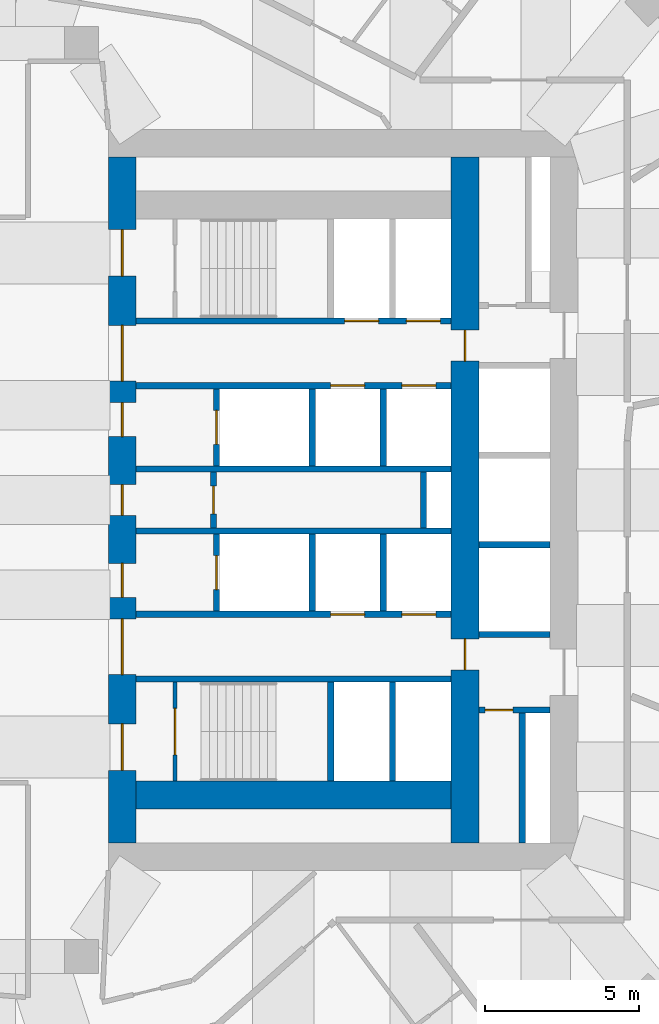
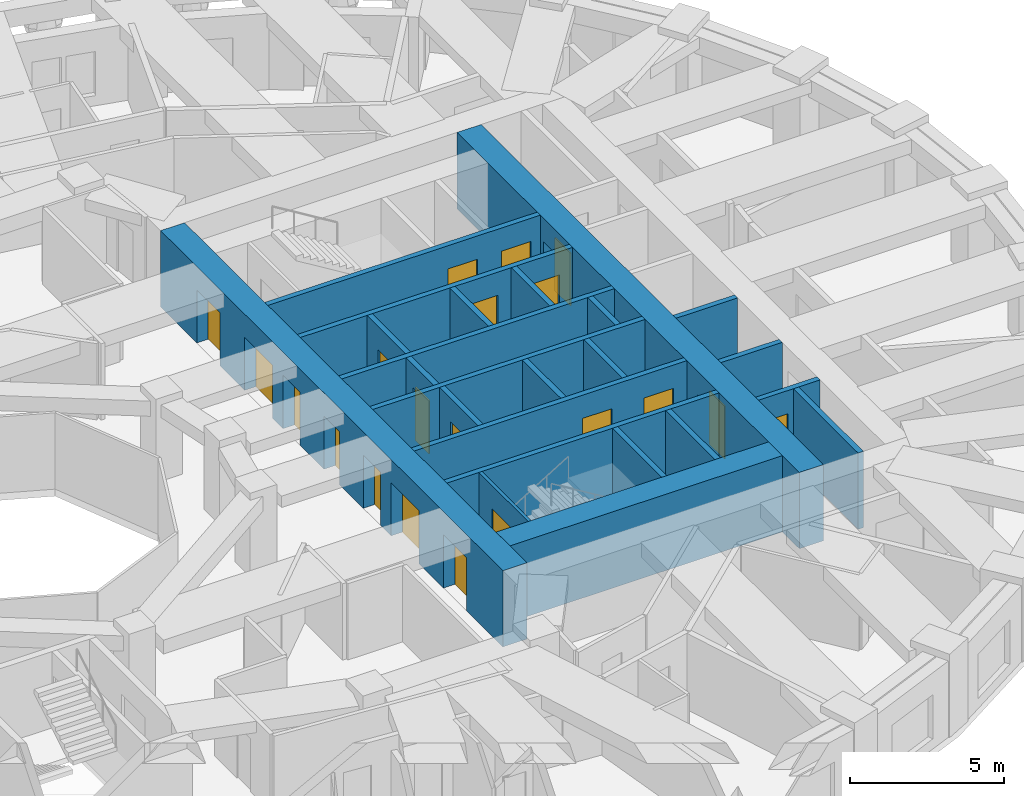
# One storey, part 6 of 13: 24 walls, 20 doors, 20 openings.
"""IFC4 building model written with IfcOpenShell, lengths in metres."""

from ifc_helpers import new_model, si_unit, direction, frame, frame_2d, origin, place, context, subcontext, project, spatial, rectangle, extrude, material, layer, layer_set, type_object, element, fill, save


model = new_model("IFC4")

# Units and contexts
model_context = context("Model", 3, precision=1e-05, world=origin(), true_north=direction((0.0, 1.0)))
body_context = subcontext(model_context, "Body", "Model", "MODEL_VIEW")
ifc_project = project(units=[si_unit("LENGTHUNIT", "METRE"), si_unit("AREAUNIT", "SQUARE_METRE"), si_unit("VOLUMEUNIT", "CUBIC_METRE"), si_unit("PLANEANGLEUNIT", "RADIAN"), si_unit("MASSUNIT", "GRAM", prefix="KILO")], contexts=[model_context])

# Site, building, storey
site_placement = place(None, origin())
site = spatial("IfcSite", under=ifc_project, at=site_placement, CompositionType="ELEMENT")
building_placement = place(site_placement, origin())
building = spatial("IfcBuilding", under=site, at=building_placement, Name="Taillehof Tower", CompositionType="ELEMENT")
storey_placement = place(building_placement, frame((0.0, 0.0, 67.89990234375)))
storey = spatial("IfcBuildingStorey", under=building, at=storey_placement, Name="L18", CompositionType="ELEMENT", Elevation=67.89990234375)

# Wall, opening, door
ifc_material_1 = material(Name="Calcium silicate masonry", Category="masonry")
ifc_layer_1 = layer(ifc_material_1, 0.199951171875)
ifc_layer_set_1 = layer_set([ifc_layer_1], Name="Compartment wall calcium silicate 200")
wall_type_1 = type_object("IfcWallType", Name="Compartment wall calcium silicate 200", PredefinedType="PARTITIONING", material=ifc_layer_set_1)
wall_1_placement = place(storey_placement, frame((7.39990234375, -0.89990234375, 0.0), z_axis=(0.0, 0.0, 1.0), x_axis=(0.0, 1.0, 0.0)))
wall_1 = element("IfcWall", 1, at=wall_1_placement, inside=storey, type_object=wall_type_1, Name="Compartment wall FW", PredefinedType="PARTITIONING", context=body_context, shape_type="SweptSolid", body=[
    extrude(rectangle(XDim=1.7998046875, YDim=0.199951171875, at=frame_2d((0.89990234375, 0.0))), origin(), (0.0, 0.0, 1.0), 3.02001953125),
])
opening_1_placement = place(wall_1_placement, frame((0.449951171875, 0.0, 0.0)))
opening_1 = element("IfcOpeningElement", 2, at=opening_1_placement, cuts=wall_1, Name="Opening D1814", PredefinedType="OPENING", context=body_context, shape_type="SweptSolid", body=[
    extrude(rectangle(XDim=0.89990234375, YDim=2.10009765625, at=frame_2d((0.449951171875, 1.050048828125))), frame((0.0, 0.10986328125, 0.0), z_axis=(0.0, -1.0, 0.0), x_axis=(1.0, 0.0, 0.0)), (0.0, 0.0, 1.0), 0.219970703125),
])
ifc_material_2 = material(Name="Steel-faced fire door", Category="steel")
door_type_1 = type_object("IfcDoorType", Name="Riser and service room door 900x2100", OperationType="SINGLE_SWING_LEFT", PredefinedType="DOOR", material=ifc_material_2)
door_1_placement = place(opening_1_placement, origin())
door_1 = element("IfcDoor", 3, at=door_1_placement, inside=storey, type_object=door_type_1, Name="Door Beverage Store", OperationType="SINGLE_SWING_RIGHT", OverallHeight=2.10009765625, OverallWidth=0.89990234375, PredefinedType="DOOR", context=body_context, shape_type="SweptSolid", body=[
    extrude(rectangle(XDim=0.89990234375, YDim=2.10009765625, at=frame_2d((0.449951171875, 1.050048828125))), frame((0.0, 0.02490234375, 0.0), z_axis=(0.0, -1.0, 0.0), x_axis=(1.0, 0.0, 0.0)), (0.0, 0.0, 1.0), 0.050048828125),
])
fill(opening_1, door_1)

# Wall
wall_2_placement = place(storey_placement, frame((14.199951171875, -0.89990234375, 0.0), z_axis=(0.0, 0.0, 1.0), x_axis=(0.0, 1.0, 0.0)))
element("IfcWall", 4, at=wall_2_placement, inside=storey, type_object=wall_type_1, Name="Compartment wall FW", PredefinedType="PARTITIONING", context=body_context, shape_type="SweptSolid", body=[
    extrude(rectangle(XDim=1.7998046875, YDim=0.199951171875, at=frame_2d((0.89990234375, 0.0))), origin(), (0.0, 0.0, 1.0), 3.02001953125),
])

# Wall, opening, door
wall_3_placement = place(storey_placement, frame((16.0, -6.800048828125, 0.0), z_axis=(0.0, 0.0, 1.0), x_axis=(1.0, 0.0, 0.0)))
wall_3 = element("IfcWall", 5, at=wall_3_placement, inside=storey, type_object=wall_type_1, Name="Compartment wall FW", PredefinedType="PARTITIONING", context=body_context, shape_type="SweptSolid", body=[
    extrude(rectangle(XDim=2.300048828125, YDim=0.199951171875, at=frame_2d((1.14990234375, 0.0))), origin(), (0.0, 0.0, 1.0), 3.02001953125),
])
opening_2_placement = place(wall_3_placement, frame((0.199951171875, 0.0, 0.0)))
opening_2 = element("IfcOpeningElement", 6, at=opening_2_placement, cuts=wall_3, Name="Opening D1818", PredefinedType="OPENING", context=body_context, shape_type="SweptSolid", body=[
    extrude(rectangle(XDim=0.89990234375, YDim=2.10009765625, at=frame_2d((0.449951171875, 1.050048828125))), frame((0.0, 0.10986328125, 0.0), z_axis=(0.0, -1.0, 0.0), x_axis=(1.0, 0.0, 0.0)), (0.0, 0.0, 1.0), 0.219970703125),
])
door_2_placement = place(opening_2_placement, origin())
door_2 = element("IfcDoor", 7, at=door_2_placement, inside=storey, type_object=door_type_1, Name="Door Bms Room", OperationType="SINGLE_SWING_LEFT", OverallHeight=2.10009765625, OverallWidth=0.89990234375, PredefinedType="DOOR", context=body_context, shape_type="SweptSolid", body=[
    extrude(rectangle(XDim=0.89990234375, YDim=2.10009765625, at=frame_2d((0.449951171875, 1.050048828125))), frame((0.0, 0.02490234375, 0.0), z_axis=(0.0, -1.0, 0.0), x_axis=(1.0, 0.0, 0.0)), (0.0, 0.0, 1.0), 0.050048828125),
])
fill(opening_2, door_2)

# Wall
wall_4_placement = place(storey_placement, frame((17.39990234375, -11.10009765625, 0.0), z_axis=(0.0, 0.0, 1.0), x_axis=(0.0, 1.0, 0.0)))
element("IfcWall", 8, at=wall_4_placement, inside=storey, type_object=wall_type_1, Name="Compartment wall FW", PredefinedType="PARTITIONING", context=body_context, shape_type="SweptSolid", body=[
    extrude(rectangle(XDim=4.2001953125, YDim=0.199951171875, at=frame_2d((2.10009765625, 0.0))), origin(), (0.0, 0.0, 1.0), 3.02001953125),
])

# Wall, openings, doors
ifc_material_3 = material(Name="Concrete C80/95", Category="concrete")
ifc_layer_2 = layer(ifc_material_3, 0.89990234375)
ifc_layer_set_2 = layer_set([ifc_layer_2], Name="Core wall C80/95 900")
wall_type_2 = type_object("IfcWallType", Name="Core wall C80/95 900", PredefinedType="SHEAR", material=ifc_layer_set_2)
wall_5_placement = place(storey_placement, frame((4.449951171875, -11.10009765625, 0.0), z_axis=(0.0, 0.0, 1.0), x_axis=(0.0, 1.0, 0.0)))
wall_5 = element("IfcWall", 9, at=wall_5_placement, inside=storey, type_object=wall_type_2, Name="Core wall CW01", PredefinedType="SHEAR", context=body_context, shape_type="SweptSolid", body=[
    extrude(rectangle(XDim=22.2001953125, YDim=0.89990234375, at=frame_2d((11.10009765625, 0.0))), origin(), (0.0, 0.0, 1.0), 3.02001953125),
])
opening_3_placement = place(wall_5_placement, frame((2.35009765625, 0.0, 0.0)))
opening_3 = element("IfcOpeningElement", 10, at=opening_3_placement, cuts=wall_5, Name="Opening D1801", PredefinedType="OPENING", context=body_context, shape_type="SweptSolid", body=[
    extrude(rectangle(XDim=1.5, YDim=2.10009765625, at=frame_2d((0.75, 1.050048828125))), frame((0.0, 0.4599609375, 0.0), z_axis=(0.0, -1.0, 0.0), x_axis=(1.0, 0.0, 0.0)), (0.0, 0.0, 1.0), 0.919921875),
])
opening_4_placement = place(wall_5_placement, frame((5.449951171875, 0.0, 0.0)))
opening_4 = element("IfcOpeningElement", 11, at=opening_4_placement, cuts=wall_5, Name="Opening D1802", PredefinedType="OPENING", context=body_context, shape_type="SweptSolid", body=[
    extrude(rectangle(XDim=1.800048828125, YDim=2.10009765625, at=frame_2d((0.89990234375, 1.050048828125))), frame((0.0, 0.4599609375, 0.0), z_axis=(0.0, -1.0, 0.0), x_axis=(1.0, 0.0, 0.0)), (0.0, 0.0, 1.0), 0.919921875),
])
opening_5_placement = place(wall_5_placement, frame((7.949951171875, 0.0, 0.0)))
opening_5 = element("IfcOpeningElement", 12, at=opening_5_placement, cuts=wall_5, Name="Opening D1803", PredefinedType="OPENING", context=body_context, shape_type="SweptSolid", body=[
    extrude(rectangle(XDim=1.10009765625, YDim=2.10009765625, at=frame_2d((0.550048828125, 1.050048828125))), frame((0.0, 0.4599609375, 0.0), z_axis=(0.0, -1.0, 0.0), x_axis=(1.0, 0.0, 0.0)), (0.0, 0.0, 1.0), 0.919921875),
])
opening_6_placement = place(wall_5_placement, frame((10.60009765625, 0.0, 0.0)))
opening_6 = element("IfcOpeningElement", 13, at=opening_6_placement, cuts=wall_5, Name="Opening D1804", PredefinedType="OPENING", context=body_context, shape_type="SweptSolid", body=[
    extrude(rectangle(XDim=1.0, YDim=2.10009765625, at=frame_2d((0.5, 1.050048828125))), frame((0.0, 0.4599609375, 0.0), z_axis=(0.0, -1.0, 0.0), x_axis=(1.0, 0.0, 0.0)), (0.0, 0.0, 1.0), 0.919921875),
])
opening_7_placement = place(wall_5_placement, frame((13.14990234375, 0.0, 0.0)))
opening_7 = element("IfcOpeningElement", 14, at=opening_7_placement, cuts=wall_5, Name="Opening D1805", PredefinedType="OPENING", context=body_context, shape_type="SweptSolid", body=[
    extrude(rectangle(XDim=1.10009765625, YDim=2.10009765625, at=frame_2d((0.550048828125, 1.050048828125))), frame((0.0, 0.4599609375, 0.0), z_axis=(0.0, -1.0, 0.0), x_axis=(1.0, 0.0, 0.0)), (0.0, 0.0, 1.0), 0.919921875),
])
opening_8_placement = place(wall_5_placement, frame((14.949951171875, 0.0, 0.0)))
opening_8 = element("IfcOpeningElement", 15, at=opening_8_placement, cuts=wall_5, Name="Opening D1806", PredefinedType="OPENING", context=body_context, shape_type="SweptSolid", body=[
    extrude(rectangle(XDim=1.800048828125, YDim=2.10009765625, at=frame_2d((0.89990234375, 1.050048828125))), frame((0.0, 0.4599609375, 0.0), z_axis=(0.0, -1.0, 0.0), x_axis=(1.0, 0.0, 0.0)), (0.0, 0.0, 1.0), 0.919921875),
])
opening_9_placement = place(wall_5_placement, frame((18.35009765625, 0.0, 0.0)))
opening_9 = element("IfcOpeningElement", 16, at=opening_9_placement, cuts=wall_5, Name="Opening D1807", PredefinedType="OPENING", context=body_context, shape_type="SweptSolid", body=[
    extrude(rectangle(XDim=1.5, YDim=2.10009765625, at=frame_2d((0.75, 1.050048828125))), frame((0.0, 0.4599609375, 0.0), z_axis=(0.0, -1.0, 0.0), x_axis=(1.0, 0.0, 0.0)), (0.0, 0.0, 1.0), 0.919921875),
])
ifc_material_4 = material(Name="Steel-faced fire door", Category="steel")
door_type_2 = type_object("IfcDoorType", Name="Firefighting lobby door 1100x2100", OperationType="SINGLE_SWING_RIGHT", PredefinedType="DOOR", material=ifc_material_4)
door_3_placement = place(opening_5_placement, origin())
door_3 = element("IfcDoor", 17, at=door_3_placement, inside=storey, type_object=door_type_2, Name="Firefighting lobby door FFL-S", OperationType="SINGLE_SWING_RIGHT", OverallHeight=2.10009765625, OverallWidth=1.10009765625, PredefinedType="DOOR", context=body_context, shape_type="SweptSolid", body=[
    extrude(rectangle(XDim=1.10009765625, YDim=2.10009765625, at=frame_2d((0.550048828125, 1.050048828125))), frame((0.0, 0.02490234375, 0.0), z_axis=(0.0, -1.0, 0.0), x_axis=(1.0, 0.0, 0.0)), (0.0, 0.0, 1.0), 0.050048828125),
])
fill(opening_5, door_3)
door_4_placement = place(opening_7_placement, origin())
door_4 = element("IfcDoor", 18, at=door_4_placement, inside=storey, type_object=door_type_2, Name="Firefighting lobby door FFL-N", OperationType="SINGLE_SWING_LEFT", OverallHeight=2.10009765625, OverallWidth=1.10009765625, PredefinedType="DOOR", context=body_context, shape_type="SweptSolid", body=[
    extrude(rectangle(XDim=1.10009765625, YDim=2.10009765625, at=frame_2d((0.550048828125, 1.050048828125))), frame((0.0, 0.02490234375, 0.0), z_axis=(0.0, -1.0, 0.0), x_axis=(1.0, 0.0, 0.0)), (0.0, 0.0, 1.0), 0.050048828125),
])
fill(opening_7, door_4)
ifc_material_5 = material(Name="Steel-faced fire door", Category="steel")
door_type_3 = type_object("IfcDoorType", Name="Lift lobby door 1800x2100", OperationType="DOUBLE_DOOR_SINGLE_SWING", PredefinedType="DOOR", material=ifc_material_5)
door_5_placement = place(opening_4_placement, origin())
door_5 = element("IfcDoor", 19, at=door_5_placement, inside=storey, type_object=door_type_3, Name="Lift lobby door LL-S", OperationType="DOUBLE_DOOR_SINGLE_SWING", OverallHeight=2.10009765625, OverallWidth=1.800048828125, PredefinedType="DOOR", context=body_context, shape_type="SweptSolid", body=[
    extrude(rectangle(XDim=1.800048828125, YDim=2.10009765625, at=frame_2d((0.89990234375, 1.050048828125))), frame((0.0, 0.02490234375, 0.0), z_axis=(0.0, -1.0, 0.0), x_axis=(1.0, 0.0, 0.0)), (0.0, 0.0, 1.0), 0.050048828125),
])
fill(opening_4, door_5)
door_6_placement = place(opening_8_placement, origin())
door_6 = element("IfcDoor", 20, at=door_6_placement, inside=storey, type_object=door_type_3, Name="Lift lobby door LL-N", OperationType="DOUBLE_DOOR_SINGLE_SWING", OverallHeight=2.10009765625, OverallWidth=1.800048828125, PredefinedType="DOOR", context=body_context, shape_type="SweptSolid", body=[
    extrude(rectangle(XDim=1.800048828125, YDim=2.10009765625, at=frame_2d((0.89990234375, 1.050048828125))), frame((0.0, 0.02490234375, 0.0), z_axis=(0.0, -1.0, 0.0), x_axis=(1.0, 0.0, 0.0)), (0.0, 0.0, 1.0), 0.050048828125),
])
fill(opening_8, door_6)
ifc_material_6 = material(Name="Steel-faced fire door", Category="steel")
door_type_4 = type_object("IfcDoorType", Name="Service door 1000x2100", OperationType="SINGLE_SWING_RIGHT", PredefinedType="DOOR", material=ifc_material_6)
door_7_placement = place(opening_6_placement, origin())
door_7 = element("IfcDoor", 21, at=door_7_placement, inside=storey, type_object=door_type_4, Name="Service door SV", OperationType="SINGLE_SWING_LEFT", OverallHeight=2.10009765625, OverallWidth=1.0, PredefinedType="DOOR", context=body_context, shape_type="SweptSolid", body=[
    extrude(rectangle(XDim=1.0, YDim=2.10009765625, at=frame_2d((0.5, 1.050048828125))), frame((0.0, 0.02490234375, 0.0), z_axis=(0.0, -1.0, 0.0), x_axis=(1.0, 0.0, 0.0)), (0.0, 0.0, 1.0), 0.050048828125),
])
fill(opening_6, door_7)
ifc_material_7 = material(Name="Steel-faced fire door", Category="steel")
door_type_5 = type_object("IfcDoorType", Name="Stair door 1500x2100", OperationType="DOUBLE_DOOR_SINGLE_SWING", PredefinedType="DOOR", material=ifc_material_7)
door_8_placement = place(opening_3_placement, origin())
door_8 = element("IfcDoor", 22, at=door_8_placement, inside=storey, type_object=door_type_5, Name="Stair door S2", OperationType="DOUBLE_DOOR_SINGLE_SWING", OverallHeight=2.10009765625, OverallWidth=1.5, PredefinedType="DOOR", context=body_context, shape_type="SweptSolid", body=[
    extrude(rectangle(XDim=1.5, YDim=2.10009765625, at=frame_2d((0.75, 1.050048828125))), frame((0.0, 0.02490234375, 0.0), z_axis=(0.0, -1.0, 0.0), x_axis=(1.0, 0.0, 0.0)), (0.0, 0.0, 1.0), 0.050048828125),
])
fill(opening_3, door_8)
door_9_placement = place(opening_9_placement, origin())
door_9 = element("IfcDoor", 23, at=door_9_placement, inside=storey, type_object=door_type_5, Name="Stair door S1", OperationType="DOUBLE_DOOR_SINGLE_SWING", OverallHeight=2.10009765625, OverallWidth=1.5, PredefinedType="DOOR", context=body_context, shape_type="SweptSolid", body=[
    extrude(rectangle(XDim=1.5, YDim=2.10009765625, at=frame_2d((0.75, 1.050048828125))), frame((0.0, 0.02490234375, 0.0), z_axis=(0.0, -1.0, 0.0), x_axis=(1.0, 0.0, 0.0)), (0.0, 0.0, 1.0), 0.050048828125),
])
fill(opening_9, door_9)

wall_6_placement = place(storey_placement, frame((15.550048828125, -11.10009765625, 0.0), z_axis=(0.0, 0.0, 1.0), x_axis=(0.0, 1.0, 0.0)))
wall_6 = element("IfcWall", 24, at=wall_6_placement, inside=storey, type_object=wall_type_2, Name="Core wall CW05", PredefinedType="SHEAR", context=body_context, shape_type="SweptSolid", body=[
    extrude(rectangle(XDim=22.2001953125, YDim=0.89990234375, at=frame_2d((11.10009765625, 0.0))), origin(), (0.0, 0.0, 1.0), 3.02001953125),
])
opening_10_placement = place(wall_6_placement, frame((15.60009765625, 0.0, 0.0)))
opening_10 = element("IfcOpeningElement", 25, at=opening_10_placement, cuts=wall_6, Name="Opening D1815", PredefinedType="OPENING", context=body_context, shape_type="SweptSolid", body=[
    extrude(rectangle(XDim=1.0, YDim=2.10009765625, at=frame_2d((0.5, 1.050048828125))), frame((0.0, 0.4599609375, 0.0), z_axis=(0.0, -1.0, 0.0), x_axis=(1.0, 0.0, 0.0)), (0.0, 0.0, 1.0), 0.919921875),
])
opening_11_placement = place(wall_6_placement, frame((5.60009765625, 0.0, 0.0)))
opening_11 = element("IfcOpeningElement", 26, at=opening_11_placement, cuts=wall_6, Name="Opening D1817", PredefinedType="OPENING", context=body_context, shape_type="SweptSolid", body=[
    extrude(rectangle(XDim=1.0, YDim=2.10009765625, at=frame_2d((0.5, 1.050048828125))), frame((0.0, 0.4599609375, 0.0), z_axis=(0.0, -1.0, 0.0), x_axis=(1.0, 0.0, 0.0)), (0.0, 0.0, 1.0), 0.919921875),
])
door_10_placement = place(opening_10_placement, origin())
door_10 = element("IfcDoor", 27, at=door_10_placement, inside=storey, type_object=door_type_4, Name="Service door strip", OperationType="SINGLE_SWING_RIGHT", OverallHeight=2.10009765625, OverallWidth=1.0, PredefinedType="DOOR", context=body_context, shape_type="SweptSolid", body=[
    extrude(rectangle(XDim=1.0, YDim=2.10009765625, at=frame_2d((0.5, 1.050048828125))), frame((0.0, 0.02490234375, 0.0), z_axis=(0.0, -1.0, 0.0), x_axis=(1.0, 0.0, 0.0)), (0.0, 0.0, 1.0), 0.050048828125),
])
fill(opening_10, door_10)
door_11_placement = place(opening_11_placement, origin())
door_11 = element("IfcDoor", 28, at=door_11_placement, inside=storey, type_object=door_type_4, Name="Service door strip", OperationType="SINGLE_SWING_LEFT", OverallHeight=2.10009765625, OverallWidth=1.0, PredefinedType="DOOR", context=body_context, shape_type="SweptSolid", body=[
    extrude(rectangle(XDim=1.0, YDim=2.10009765625, at=frame_2d((0.5, 1.050048828125))), frame((0.0, 0.02490234375, 0.0), z_axis=(0.0, -1.0, 0.0), x_axis=(1.0, 0.0, 0.0)), (0.0, 0.0, 1.0), 0.050048828125),
])
fill(opening_11, door_11)

# Wall
wall_7_placement = place(storey_placement, frame((4.89990234375, -9.550048828125, 0.0), z_axis=(0.0, 0.0, 1.0), x_axis=(1.0, 0.0, 0.0)))
element("IfcWall", 29, at=wall_7_placement, inside=storey, type_object=wall_type_2, Name="Core wall CW07", PredefinedType="SHEAR", context=body_context, shape_type="SweptSolid", body=[
    extrude(rectangle(XDim=10.2001953125, YDim=0.89990234375, at=frame_2d((5.10009765625, 0.0))), origin(), (0.0, 0.0, 1.0), 3.02001953125),
])

# Wall, openings, doors
ifc_material_8 = material(Name="Concrete C50/60", Category="concrete")
ifc_layer_3 = layer(ifc_material_8, 0.199951171875)
ifc_layer_set_3 = layer_set([ifc_layer_3], Name="Shaft wall C50/60 200")
wall_type_3 = type_object("IfcWallType", Name="Shaft wall C50/60 200", PredefinedType="SHEAR", material=ifc_layer_set_3)
wall_8_placement = place(storey_placement, frame((4.89990234375, 5.800048828125, 0.0), z_axis=(0.0, 0.0, 1.0), x_axis=(1.0, 0.0, 0.0)))
wall_8 = element("IfcWall", 30, at=wall_8_placement, inside=storey, type_object=wall_type_3, Name="Shaft wall SW", PredefinedType="SHEAR", context=body_context, shape_type="SweptSolid", body=[
    extrude(rectangle(XDim=10.2001953125, YDim=0.199951171875, at=frame_2d((5.10009765625, 0.0))), origin(), (0.0, 0.0, 1.0), 3.02001953125),
])
opening_12_placement = place(wall_8_placement, frame((6.75, 0.0, 0.0)))
opening_12 = element("IfcOpeningElement", 31, at=opening_12_placement, cuts=wall_8, Name="Opening LD1", PredefinedType="OPENING", context=body_context, shape_type="SweptSolid", body=[
    extrude(rectangle(XDim=1.10009765625, YDim=2.10009765625, at=frame_2d((0.550048828125, 1.050048828125))), frame((0.0, 0.10986328125, 0.0), z_axis=(0.0, -1.0, 0.0), x_axis=(1.0, 0.0, 0.0)), (0.0, 0.0, 1.0), 0.219970703125),
])
opening_13_placement = place(wall_8_placement, frame((8.75, 0.0, 0.0)))
opening_13 = element("IfcOpeningElement", 32, at=opening_13_placement, cuts=wall_8, Name="Opening LD1", PredefinedType="OPENING", context=body_context, shape_type="SweptSolid", body=[
    extrude(rectangle(XDim=1.10009765625, YDim=2.10009765625, at=frame_2d((0.550048828125, 1.050048828125))), frame((0.0, 0.10986328125, 0.0), z_axis=(0.0, -1.0, 0.0), x_axis=(1.0, 0.0, 0.0)), (0.0, 0.0, 1.0), 0.219970703125),
])
ifc_material_9 = material(Name="Stainless steel", Category="steel")
door_type_6 = type_object("IfcDoorType", Name="Lift landing door LD1 1100x2100", OperationType="DOUBLE_DOOR_SLIDING", PredefinedType="DOOR", material=ifc_material_9)
door_12_placement = place(opening_12_placement, origin())
door_12 = element("IfcDoor", 33, at=door_12_placement, inside=storey, type_object=door_type_6, Name="Landing door LR1", OperationType="DOUBLE_DOOR_SLIDING", OverallHeight=2.10009765625, OverallWidth=1.10009765625, PredefinedType="DOOR", context=body_context, shape_type="SweptSolid", body=[
    extrude(rectangle(XDim=1.10009765625, YDim=2.10009765625, at=frame_2d((0.550048828125, 1.050048828125))), frame((0.0, 0.02490234375, 0.0), z_axis=(0.0, -1.0, 0.0), x_axis=(1.0, 0.0, 0.0)), (0.0, 0.0, 1.0), 0.050048828125),
])
fill(opening_12, door_12)
door_13_placement = place(opening_13_placement, origin())
door_13 = element("IfcDoor", 34, at=door_13_placement, inside=storey, type_object=door_type_6, Name="Landing door LR2", OperationType="DOUBLE_DOOR_SLIDING", OverallHeight=2.10009765625, OverallWidth=1.10009765625, PredefinedType="DOOR", context=body_context, shape_type="SweptSolid", body=[
    extrude(rectangle(XDim=1.10009765625, YDim=2.10009765625, at=frame_2d((0.550048828125, 1.050048828125))), frame((0.0, 0.02490234375, 0.0), z_axis=(0.0, -1.0, 0.0), x_axis=(1.0, 0.0, 0.0)), (0.0, 0.0, 1.0), 0.050048828125),
])
fill(opening_13, door_13)

wall_9_placement = place(storey_placement, frame((4.89990234375, 3.699951171875, 0.0), z_axis=(0.0, 0.0, 1.0), x_axis=(1.0, 0.0, 0.0)))
wall_9 = element("IfcWall", 35, at=wall_9_placement, inside=storey, type_object=wall_type_3, Name="Shaft wall SW", PredefinedType="SHEAR", context=body_context, shape_type="SweptSolid", body=[
    extrude(rectangle(XDim=10.2001953125, YDim=0.199951171875, at=frame_2d((5.10009765625, 0.0))), origin(), (0.0, 0.0, 1.0), 3.02001953125),
])
opening_14_placement = place(wall_9_placement, frame((6.300048828125, 0.0, 0.0)))
opening_14 = element("IfcOpeningElement", 36, at=opening_14_placement, cuts=wall_9, Name="Opening LD1", PredefinedType="OPENING", context=body_context, shape_type="SweptSolid", body=[
    extrude(rectangle(XDim=1.10009765625, YDim=2.10009765625, at=frame_2d((0.550048828125, 1.050048828125))), frame((0.0, 0.10986328125, 0.0), z_axis=(0.0, -1.0, 0.0), x_axis=(1.0, 0.0, 0.0)), (0.0, 0.0, 1.0), 0.219970703125),
])
opening_15_placement = place(wall_9_placement, frame((8.60009765625, 0.0, 0.0)))
opening_15 = element("IfcOpeningElement", 37, at=opening_15_placement, cuts=wall_9, Name="Opening LD1", PredefinedType="OPENING", context=body_context, shape_type="SweptSolid", body=[
    extrude(rectangle(XDim=1.10009765625, YDim=2.10009765625, at=frame_2d((0.550048828125, 1.050048828125))), frame((0.0, 0.10986328125, 0.0), z_axis=(0.0, -1.0, 0.0), x_axis=(1.0, 0.0, 0.0)), (0.0, 0.0, 1.0), 0.219970703125),
])
door_14_placement = place(opening_14_placement, origin())
door_14 = element("IfcDoor", 38, at=door_14_placement, inside=storey, type_object=door_type_6, Name="Landing door LR3", OperationType="DOUBLE_DOOR_SLIDING", OverallHeight=2.10009765625, OverallWidth=1.10009765625, PredefinedType="DOOR", context=body_context, shape_type="SweptSolid", body=[
    extrude(rectangle(XDim=1.10009765625, YDim=2.10009765625, at=frame_2d((0.550048828125, 1.050048828125))), frame((0.0, 0.02490234375, 0.0), z_axis=(0.0, -1.0, 0.0), x_axis=(1.0, 0.0, 0.0)), (0.0, 0.0, 1.0), 0.050048828125),
])
fill(opening_14, door_14)
door_15_placement = place(opening_15_placement, origin())
door_15 = element("IfcDoor", 39, at=door_15_placement, inside=storey, type_object=door_type_6, Name="Landing door LR4", OperationType="DOUBLE_DOOR_SLIDING", OverallHeight=2.10009765625, OverallWidth=1.10009765625, PredefinedType="DOOR", context=body_context, shape_type="SweptSolid", body=[
    extrude(rectangle(XDim=1.10009765625, YDim=2.10009765625, at=frame_2d((0.550048828125, 1.050048828125))), frame((0.0, 0.02490234375, 0.0), z_axis=(0.0, -1.0, 0.0), x_axis=(1.0, 0.0, 0.0)), (0.0, 0.0, 1.0), 0.050048828125),
])
fill(opening_15, door_15)

# Walls
for number, where, z_axis, x_axis, name in (
    (40, (4.89990234375, 1.0, 0.0), (0.0, 0.0, 1.0), (1.0, 0.0, 0.0), "Shaft wall SW"),
    (41, (4.89990234375, -1.0, 0.0), (0.0, 0.0, 1.0), (1.0, 0.0, 0.0), "Shaft wall SW"),
):
    element("IfcWall", number, at=place(storey_placement, frame(where, z_axis=z_axis, x_axis=x_axis)), inside=storey, type_object=wall_type_3, Name=name, PredefinedType="SHEAR", context=body_context, shape_type="SweptSolid", body=[
        extrude(rectangle(XDim=10.2001953125, YDim=0.199951171875, at=frame_2d((5.10009765625, 0.0))), origin(), (0.0, 0.0, 1.0), 3.02001953125),
    ])

# Wall, openings, doors
wall_10_placement = place(storey_placement, frame((4.89990234375, -3.699951171875, 0.0), z_axis=(0.0, 0.0, 1.0), x_axis=(1.0, 0.0, 0.0)))
wall_10 = element("IfcWall", 42, at=wall_10_placement, inside=storey, type_object=wall_type_3, Name="Shaft wall SW", PredefinedType="SHEAR", context=body_context, shape_type="SweptSolid", body=[
    extrude(rectangle(XDim=10.2001953125, YDim=0.199951171875, at=frame_2d((5.10009765625, 0.0))), origin(), (0.0, 0.0, 1.0), 3.02001953125),
])
opening_16_placement = place(wall_10_placement, frame((6.300048828125, 0.0, 0.0)))
opening_16 = element("IfcOpeningElement", 43, at=opening_16_placement, cuts=wall_10, Name="Opening LD1", PredefinedType="OPENING", context=body_context, shape_type="SweptSolid", body=[
    extrude(rectangle(XDim=1.10009765625, YDim=2.10009765625, at=frame_2d((0.550048828125, 1.050048828125))), frame((0.0, 0.10986328125, 0.0), z_axis=(0.0, -1.0, 0.0), x_axis=(1.0, 0.0, 0.0)), (0.0, 0.0, 1.0), 0.219970703125),
])
opening_17_placement = place(wall_10_placement, frame((8.60009765625, 0.0, 0.0)))
opening_17 = element("IfcOpeningElement", 44, at=opening_17_placement, cuts=wall_10, Name="Opening LD1", PredefinedType="OPENING", context=body_context, shape_type="SweptSolid", body=[
    extrude(rectangle(XDim=1.10009765625, YDim=2.10009765625, at=frame_2d((0.550048828125, 1.050048828125))), frame((0.0, 0.10986328125, 0.0), z_axis=(0.0, -1.0, 0.0), x_axis=(1.0, 0.0, 0.0)), (0.0, 0.0, 1.0), 0.219970703125),
])
door_16_placement = place(opening_16_placement, origin())
door_16 = element("IfcDoor", 45, at=door_16_placement, inside=storey, type_object=door_type_6, Name="Landing door LR5", OperationType="DOUBLE_DOOR_SLIDING", OverallHeight=2.10009765625, OverallWidth=1.10009765625, PredefinedType="DOOR", context=body_context, shape_type="SweptSolid", body=[
    extrude(rectangle(XDim=1.10009765625, YDim=2.10009765625, at=frame_2d((0.550048828125, 1.050048828125))), frame((0.0, 0.02490234375, 0.0), z_axis=(0.0, -1.0, 0.0), x_axis=(1.0, 0.0, 0.0)), (0.0, 0.0, 1.0), 0.050048828125),
])
fill(opening_16, door_16)
door_17_placement = place(opening_17_placement, origin())
door_17 = element("IfcDoor", 46, at=door_17_placement, inside=storey, type_object=door_type_6, Name="Landing door LR6", OperationType="DOUBLE_DOOR_SLIDING", OverallHeight=2.10009765625, OverallWidth=1.10009765625, PredefinedType="DOOR", context=body_context, shape_type="SweptSolid", body=[
    extrude(rectangle(XDim=1.10009765625, YDim=2.10009765625, at=frame_2d((0.550048828125, 1.050048828125))), frame((0.0, 0.02490234375, 0.0), z_axis=(0.0, -1.0, 0.0), x_axis=(1.0, 0.0, 0.0)), (0.0, 0.0, 1.0), 0.050048828125),
])
fill(opening_17, door_17)

# Walls
wall_11_placement = place(storey_placement, frame((4.89990234375, -5.800048828125, 0.0), z_axis=(0.0, 0.0, 1.0), x_axis=(1.0, 0.0, 0.0)))
element("IfcWall", 47, at=wall_11_placement, inside=storey, type_object=wall_type_3, Name="Shaft wall SW", PredefinedType="SHEAR", context=body_context, shape_type="SweptSolid", body=[
    extrude(rectangle(XDim=10.2001953125, YDim=0.199951171875, at=frame_2d((5.10009765625, 0.0))), origin(), (0.0, 0.0, 1.0), 3.02001953125),
])
for number, where, z_axis, x_axis, name in (
    (48, (11.199951171875, -9.10009765625, 0.0), (0.0, 0.0, 1.0), (0.0, 1.0, 0.0), "Shaft wall SW"),
    (49, (13.199951171875, -9.10009765625, 0.0), (0.0, 0.0, 1.0), (0.0, 1.0, 0.0), "Shaft wall SW"),
):
    element("IfcWall", number, at=place(storey_placement, frame(where, z_axis=z_axis, x_axis=x_axis)), inside=storey, type_object=wall_type_3, Name=name, PredefinedType="SHEAR", context=body_context, shape_type="SweptSolid", body=[
        extrude(rectangle(XDim=3.2001953125, YDim=0.199951171875, at=frame_2d((1.60009765625, 0.0))), origin(), (0.0, 0.0, 1.0), 3.02001953125),
    ])

# Wall, opening, door
wall_12_placement = place(storey_placement, frame((7.5, 1.10009765625, 0.0), z_axis=(0.0, 0.0, 1.0), x_axis=(0.0, 1.0, 0.0)))
wall_12 = element("IfcWall", 50, at=wall_12_placement, inside=storey, type_object=wall_type_3, Name="Shaft wall SW", PredefinedType="SHEAR", context=body_context, shape_type="SweptSolid", body=[
    extrude(rectangle(XDim=2.5, YDim=0.199951171875, at=frame_2d((1.25, 0.0))), origin(), (0.0, 0.0, 1.0), 3.02001953125),
])
opening_18_placement = place(wall_12_placement, frame((0.699951171875, 0.0, 0.0)))
opening_18 = element("IfcOpeningElement", 51, at=opening_18_placement, cuts=wall_12, Name="Opening LD1", PredefinedType="OPENING", context=body_context, shape_type="SweptSolid", body=[
    extrude(rectangle(XDim=1.10009765625, YDim=2.10009765625, at=frame_2d((0.550048828125, 1.050048828125))), frame((0.0, 0.10986328125, 0.0), z_axis=(0.0, -1.0, 0.0), x_axis=(1.0, 0.0, 0.0)), (0.0, 0.0, 1.0), 0.219970703125),
])
door_18_placement = place(opening_18_placement, origin())
door_18 = element("IfcDoor", 52, at=door_18_placement, inside=storey, type_object=door_type_6, Name="Landing door FF1", OperationType="DOUBLE_DOOR_SLIDING", OverallHeight=2.10009765625, OverallWidth=1.10009765625, PredefinedType="DOOR", context=body_context, shape_type="SweptSolid", body=[
    extrude(rectangle(XDim=1.10009765625, YDim=2.10009765625, at=frame_2d((0.550048828125, 1.050048828125))), frame((0.0, 0.02490234375, 0.0), z_axis=(0.0, -1.0, 0.0), x_axis=(1.0, 0.0, 0.0)), (0.0, 0.0, 1.0), 0.050048828125),
])
fill(opening_18, door_18)

wall_13_placement = place(storey_placement, frame((7.5, -3.60009765625, 0.0), z_axis=(0.0, 0.0, 1.0), x_axis=(0.0, 1.0, 0.0)))
wall_13 = element("IfcWall", 53, at=wall_13_placement, inside=storey, type_object=wall_type_3, Name="Shaft wall SW", PredefinedType="SHEAR", context=body_context, shape_type="SweptSolid", body=[
    extrude(rectangle(XDim=2.5, YDim=0.199951171875, at=frame_2d((1.25, 0.0))), origin(), (0.0, 0.0, 1.0), 3.02001953125),
])
opening_19_placement = place(wall_13_placement, frame((0.699951171875, 0.0, 0.0)))
opening_19 = element("IfcOpeningElement", 54, at=opening_19_placement, cuts=wall_13, Name="Opening LD1", PredefinedType="OPENING", context=body_context, shape_type="SweptSolid", body=[
    extrude(rectangle(XDim=1.10009765625, YDim=2.10009765625, at=frame_2d((0.550048828125, 1.050048828125))), frame((0.0, 0.10986328125, 0.0), z_axis=(0.0, -1.0, 0.0), x_axis=(1.0, 0.0, 0.0)), (0.0, 0.0, 1.0), 0.219970703125),
])
door_19_placement = place(opening_19_placement, origin())
door_19 = element("IfcDoor", 55, at=door_19_placement, inside=storey, type_object=door_type_6, Name="Landing door FF2", OperationType="DOUBLE_DOOR_SLIDING", OverallHeight=2.10009765625, OverallWidth=1.10009765625, PredefinedType="DOOR", context=body_context, shape_type="SweptSolid", body=[
    extrude(rectangle(XDim=1.10009765625, YDim=2.10009765625, at=frame_2d((0.550048828125, 1.050048828125))), frame((0.0, 0.02490234375, 0.0), z_axis=(0.0, -1.0, 0.0), x_axis=(1.0, 0.0, 0.0)), (0.0, 0.0, 1.0), 0.050048828125),
])
fill(opening_19, door_19)

# Walls
for number, where, z_axis, x_axis, name in (
    (56, (10.60009765625, 1.10009765625, 0.0), (0.0, 0.0, 1.0), (0.0, 1.0, 0.0), "Shaft wall SW"),
    (57, (10.60009765625, -3.60009765625, 0.0), (0.0, 0.0, 1.0), (0.0, 1.0, 0.0), "Shaft wall SW"),
    (58, (12.89990234375, 1.10009765625, 0.0), (0.0, 0.0, 1.0), (0.0, 1.0, 0.0), "Shaft wall SW"),
    (59, (12.89990234375, -3.60009765625, 0.0), (0.0, 0.0, 1.0), (0.0, 1.0, 0.0), "Shaft wall SW"),
):
    element("IfcWall", number, at=place(storey_placement, frame(where, z_axis=z_axis, x_axis=x_axis)), inside=storey, type_object=wall_type_3, Name=name, PredefinedType="SHEAR", context=body_context, shape_type="SweptSolid", body=[
        extrude(rectangle(XDim=2.5, YDim=0.199951171875, at=frame_2d((1.25, 0.0))), origin(), (0.0, 0.0, 1.0), 3.02001953125),
    ])
for number, where, z_axis, x_axis, name in (
    (60, (16.0, -4.35009765625, 0.0), (0.0, 0.0, 1.0), (1.0, 0.0, 0.0), "Shaft wall SW"),
    (61, (16.0, -1.449951171875, 0.0), (0.0, 0.0, 1.0), (1.0, 0.0, 0.0), "Shaft wall SW"),
):
    element("IfcWall", number, at=place(storey_placement, frame(where, z_axis=z_axis, x_axis=x_axis)), inside=storey, type_object=wall_type_3, Name=name, PredefinedType="SHEAR", context=body_context, shape_type="SweptSolid", body=[
        extrude(rectangle(XDim=2.300048828125, YDim=0.199951171875, at=frame_2d((1.14990234375, 0.0))), origin(), (0.0, 0.0, 1.0), 3.02001953125),
    ])

# Wall, opening, door
ifc_material_10 = material(Name="Concrete C50/60", Category="concrete")
ifc_layer_4 = layer(ifc_material_10, 0.1201171875)
ifc_layer_set_4 = layer_set([ifc_layer_4], Name="Stair lobby wall C50/60 120")
wall_type_4 = type_object("IfcWallType", Name="Stair lobby wall C50/60 120", PredefinedType="SHEAR", material=ifc_layer_set_4)
wall_14_placement = place(storey_placement, frame((6.159912109375, -9.10009765625, 0.0), z_axis=(0.0, 0.0, 1.0), x_axis=(0.0, 1.0, 0.0)))
wall_14 = element("IfcWall", 62, at=wall_14_placement, inside=storey, type_object=wall_type_4, Name="Compartment wall SW", PredefinedType="SHEAR", context=body_context, shape_type="SweptSolid", body=[
    extrude(rectangle(XDim=3.2001953125, YDim=0.1201171875, at=frame_2d((1.60009765625, 0.0))), origin(), (0.0, 0.0, 1.0), 3.02001953125),
])
opening_20_placement = place(wall_14_placement, frame((0.85009765625, 0.0, 0.0)))
opening_20 = element("IfcOpeningElement", 63, at=opening_20_placement, cuts=wall_14, Name="Opening D1811", PredefinedType="OPENING", context=body_context, shape_type="SweptSolid", body=[
    extrude(rectangle(XDim=1.5, YDim=2.10009765625, at=frame_2d((0.75, 1.050048828125))), frame((0.0, 0.070068359375, 0.0), z_axis=(0.0, -1.0, 0.0), x_axis=(1.0, 0.0, 0.0)), (0.0, 0.0, 1.0), 0.14013671875),
])
door_20_placement = place(opening_20_placement, origin())
door_20 = element("IfcDoor", 64, at=door_20_placement, inside=storey, type_object=door_type_5, Name="Stair lobby door S2", OperationType="DOUBLE_DOOR_SINGLE_SWING", OverallHeight=2.10009765625, OverallWidth=1.5, PredefinedType="DOOR", context=body_context, shape_type="SweptSolid", body=[
    extrude(rectangle(XDim=1.5, YDim=2.10009765625, at=frame_2d((0.75, 1.050048828125))), frame((0.0, 0.02490234375, 0.0), z_axis=(0.0, -1.0, 0.0), x_axis=(1.0, 0.0, 0.0)), (0.0, 0.0, 1.0), 0.050048828125),
])
fill(opening_20, door_20)

save(model, "model.ifc")
